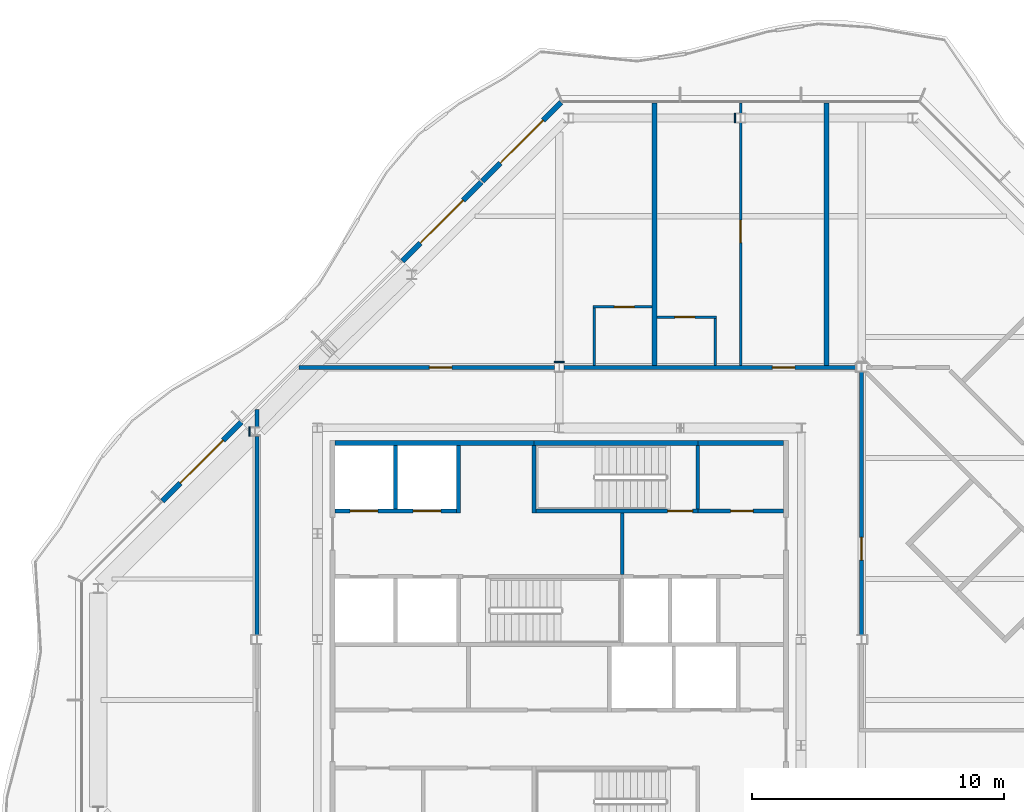
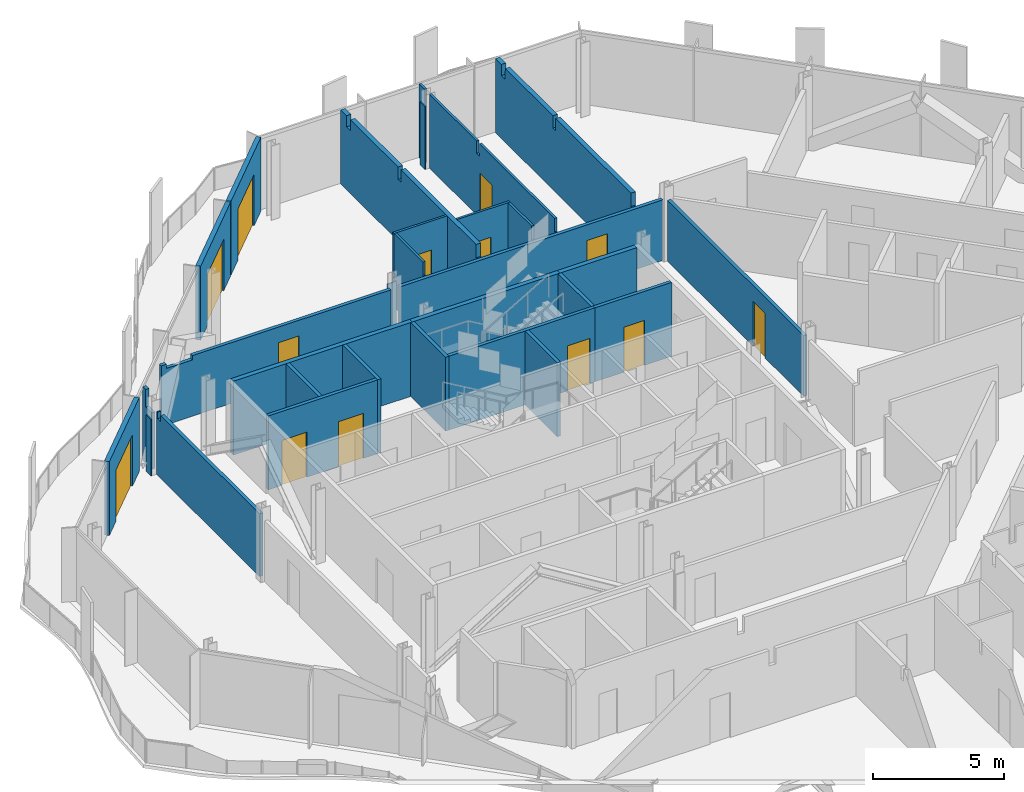
# One storey, part 10 of 16: 30 walls, 13 doors, 13 openings.
"""IFC4 building model written with IfcOpenShell, lengths in metres."""

import ifcopenshell
import ifcopenshell.guid

model = None  # the IFC model being written
_history = None  # IfcOwnerHistory: only IFC2X3 demands one
_inside = {}  # id of a spatial element -> (the spatial element, [elements in it])
_under = {}  # id of a project, library or spatial element -> (it, [spatial elements below it])
_declared = {}  # id of a project -> (the project, [libraries it declares])
_typed = {}  # id of a type object -> (the type object, [elements of that type])
_made_of = {}  # id of a material, layer set ... -> (it, [elements and type objects made of it])


def new_model(schema):
    """Start an empty IFC model of exactly this schema.

    Asked for "IFC4X3", IfcOpenShell would pick the latest addendum, in which some entities
    have other attributes; the version numbers below select the first issue.
    IFC2X3 requires an IfcOwnerHistory on every rooted entity: one is made here for all.
    """
    global model, _history
    if schema == "IFC4X3":
        model = ifcopenshell.file(schema_version=(4, 3, 0, 0))
    else:
        model = ifcopenshell.file(schema=schema)
    _inside.clear()
    _under.clear()
    _declared.clear()
    _typed.clear()
    _made_of.clear()
    _history = None
    if model.schema == "IFC2X3":
        org = make("IfcOrganization", Name="unknown")
        user = make(
            "IfcPersonAndOrganization",
            ThePerson=make("IfcPerson", FamilyName="unknown"),
            TheOrganization=org,
        )
        app = make(
            "IfcApplication",
            ApplicationDeveloper=org,
            Version="unknown",
            ApplicationFullName="unknown",
            ApplicationIdentifier="unknown",
        )
        _history = make(
            "IfcOwnerHistory",
            OwningUser=user,
            OwningApplication=app,
            ChangeAction="ADDED",
            CreationDate=0,
        )
    return model


def make(cls, **values):
    """One entity of the class cls with the attributes given. An attribute that is None is left unset."""
    return model.create_entity(
        cls, **{name: value for name, value in values.items() if value is not None}
    )


def rooted(cls, **values):
    """An entity with a GlobalId (a new one), such as an element, a storey or a relation."""
    return make(cls, GlobalId=ifcopenshell.guid.new(), OwnerHistory=_history, **values)


def si_unit(unit_type, name, prefix=None):
    """IfcSIUnit, for example si_unit("LENGTHUNIT", "METRE", prefix="MILLI")."""
    return make("IfcSIUnit", UnitType=unit_type, Prefix=prefix, Name=name)


def assignment(units):
    """IfcUnitAssignment: the units of a project."""
    return None if units is None else make("IfcUnitAssignment", Units=units)


def point(xyz):
    """IfcCartesianPoint."""
    return None if xyz is None else make("IfcCartesianPoint", Coordinates=xyz)


def direction(xyz):
    """IfcDirection."""
    return None if xyz is None else make("IfcDirection", DirectionRatios=xyz)


def frame(location, z_axis=None, x_axis=None):
    """IfcAxis2Placement3D, a coordinate frame: its origin and axes. An axis left out is left unset."""
    return make(
        "IfcAxis2Placement3D",
        Location=point(location),
        Axis=direction(z_axis),
        RefDirection=direction(x_axis),
    )


def frame_2d(location, x_axis=None):
    """IfcAxis2Placement2D, a coordinate frame in the plane: its origin and x axis."""
    return make(
        "IfcAxis2Placement2D", Location=point(location), RefDirection=direction(x_axis)
    )


def origin():
    """The frame at (0, 0, 0) with its axes left unset."""
    return frame((0.0, 0.0, 0.0))


def place(relative_to, where):
    """IfcLocalPlacement: puts the frame where relative to a parent placement (None: the world)."""
    return make(
        "IfcLocalPlacement", PlacementRelTo=relative_to, RelativePlacement=where
    )


def context(
    kind, dimensions, precision=None, world=None, true_north=None, identifier=None
):
    """IfcGeometricRepresentationContext, for example the 3D "Model" context."""
    return make(
        "IfcGeometricRepresentationContext",
        ContextIdentifier=identifier,
        ContextType=kind,
        CoordinateSpaceDimension=dimensions,
        Precision=precision,
        WorldCoordinateSystem=world,
        TrueNorth=true_north,
    )


def subcontext(parent, identifier, kind, view, scale=None):
    """IfcGeometricRepresentationSubContext, for example "Body" below "Model"."""
    return make(
        "IfcGeometricRepresentationSubContext",
        ContextIdentifier=identifier,
        ContextType=kind,
        ParentContext=parent,
        TargetScale=scale,
        TargetView=view,
    )


def project(units=None, contexts=None):
    """IfcProject with its units and contexts."""
    return rooted(
        "IfcProject",
        Name="project",
        RepresentationContexts=contexts,
        UnitsInContext=assignment(units),
    )


def spatial(cls, under=None, at=None, **own):
    """A site, building, storey or space (cls), placed at a placement, below another one or the project."""
    s = rooted(cls, ObjectPlacement=at, **own)
    if under is not None:
        _under.setdefault(under.id(), (under, []))[1].append(s)
    return s


def polyline(points):
    """IfcPolyline through the points."""
    return make("IfcPolyline", Points=[point(p) for p in points])


def profile(cls, at=None, kind="AREA", **sizes):
    """A parametric profile (cls). Its sizes go by their IFC names, for example OverallWidth=200.0."""
    return make(cls, ProfileType=kind, Position=at, **sizes)


def rectangle(**sizes):
    """IfcRectangleProfileDef."""
    return profile("IfcRectangleProfileDef", **sizes)


def outline(outer, holes=None, kind="AREA"):
    """IfcArbitraryClosedProfileDef: a profile drawn as a closed curve; with holes, ...WithVoids."""
    if holes is None:
        return make("IfcArbitraryClosedProfileDef", ProfileType=kind, OuterCurve=outer)
    return make(
        "IfcArbitraryProfileDefWithVoids",
        ProfileType=kind,
        OuterCurve=outer,
        InnerCurves=holes,
    )


def extrude(swept, where, along, depth):
    """IfcExtrudedAreaSolid: the profile swept, set in the frame where, extruded along a direction by depth."""
    return make(
        "IfcExtrudedAreaSolid",
        SweptArea=swept,
        Position=where,
        ExtrudedDirection=direction(along),
        Depth=depth,
    )


def shape(context_of_items, identifier, shape_type, items):
    """IfcShapeRepresentation: the items that make up one representation, for example the "Body"."""
    return make(
        "IfcShapeRepresentation",
        ContextOfItems=context_of_items,
        RepresentationIdentifier=identifier,
        RepresentationType=shape_type,
        Items=items,
    )


def material(Name=None, Category=None):
    """IfcMaterial."""
    return make("IfcMaterial", Name=Name, Category=Category)


def layer(
    of_material, thickness, ventilated=None, Name=None, Category=None, Priority=None
):
    """IfcMaterialLayer: one layer of a wall or slab, of a material (None: an air gap)."""
    return make(
        "IfcMaterialLayer",
        Material=of_material,
        LayerThickness=thickness,
        IsVentilated=ventilated,
        Name=Name,
        Category=Category,
        Priority=Priority,
    )


def layer_set(layers, Name=None):
    """IfcMaterialLayerSet."""
    return make("IfcMaterialLayerSet", MaterialLayers=layers, LayerSetName=Name)


def made_of(thing, what):
    """Note that an element or type object is made of a material, layer set ...; save() writes the relation."""
    if what is not None:
        _made_of.setdefault(what.id(), (what, []))[1].append(thing)
    return thing


def type_object(cls, material=None, **own):
    """A type object (cls), such as IfcWallType, which elements share."""
    return made_of(rooted(cls, **own), material)


def element(
    cls,
    number,
    at=None,
    inside=None,
    cuts=None,
    type_object=None,
    material=None,
    context=None,
    identifier="Body",
    shape_type=None,
    held_by="IfcProductDefinitionShape",
    body=None,
    shapes=None,
    **own,
):
    """One element of the class cls, such as IfcWall. Its Tag is "e" and its number.

    at: its placement. inside: the storey or other place that contains it. cuts: it is an
    opening in that element (IfcRelVoidsElement). A single representation is given by context,
    identifier, shape_type and body (its items); several are given by shapes. held_by: the class
    of the entity that holds the representations. save() writes the other relations.
    """
    e = rooted(cls, Tag="e%d" % number, ObjectPlacement=at, **own)
    if body is not None:
        shapes = [shape(context, identifier, shape_type, body)]
    if shapes is not None:
        e.Representation = make(held_by, Representations=shapes)
    if inside is not None:
        _inside.setdefault(inside.id(), (inside, []))[1].append(e)
    if cuts is not None:
        rooted(
            "IfcRelVoidsElement", RelatingBuildingElement=cuts, RelatedOpeningElement=e
        )
    if type_object is not None:
        _typed.setdefault(type_object.id(), (type_object, []))[1].append(e)
    return made_of(e, material)


def fill(opening, filler):
    """IfcRelFillsElement: the door or window that sits in an opening."""
    return rooted(
        "IfcRelFillsElement",
        RelatingOpeningElement=opening,
        RelatedBuildingElement=filler,
    )


def aggregate(whole, parts):
    """IfcRelAggregates: a whole, such as a stair, and the parts it consists of."""
    return rooted("IfcRelAggregates", RelatingObject=whole, RelatedObjects=parts)


def save(model, path):
    """Write the relations noted so far, then the file.

    IfcRelAggregates (storeys below a building ...), IfcRelContainedInSpatialStructure (elements
    in a storey), IfcRelDefinesByType, IfcRelAssociatesMaterial and IfcRelDeclares: one each for
    every whole, place, type object, material and project.
    """
    for whole, parts in _under.values():
        aggregate(whole, parts)
    for where, things in _inside.values():
        rooted(
            "IfcRelContainedInSpatialStructure",
            RelatedElements=things,
            RelatingStructure=where,
        )
    for kind, things in _typed.values():
        rooted("IfcRelDefinesByType", RelatedObjects=things, RelatingType=kind)
    for what, things in _made_of.values():
        rooted("IfcRelAssociatesMaterial", RelatedObjects=things, RelatingMaterial=what)
    for by, libraries in _declared.values():
        rooted("IfcRelDeclares", RelatingContext=by, RelatedDefinitions=libraries)
    model.write(path)


model = new_model("IFC4")

# Units and contexts
model_context = context("Model", 3, precision=1e-05, world=origin(), true_north=direction((0.0, 1.0)))
body_context = subcontext(model_context, "Body", "Model", "MODEL_VIEW")
ifc_project = project(units=[si_unit("LENGTHUNIT", "METRE"), si_unit("AREAUNIT", "SQUARE_METRE"), si_unit("VOLUMEUNIT", "CUBIC_METRE"), si_unit("PLANEANGLEUNIT", "RADIAN"), si_unit("MASSUNIT", "GRAM", prefix="KILO")], contexts=[model_context])

# Site, building, storey
site_placement = place(None, origin())
site = spatial("IfcSite", under=ifc_project, at=site_placement, CompositionType="ELEMENT")
building_placement = place(site_placement, origin())
building = spatial("IfcBuilding", under=site, at=building_placement, Name="Cairn Pilgrim Tower", CompositionType="ELEMENT")
storey_placement = place(building_placement, frame((0.0, 0.0, 285.0)))
storey = spatial("IfcBuildingStorey", under=building, at=storey_placement, Name="L73", CompositionType="ELEMENT", Elevation=285.0)

# Wall, opening, door
ifc_material_1 = material(Name="Bronze anodised aluminium insulated sandwich panel with mineral wool fill", Category="aluminium")
ifc_layer_1 = layer(ifc_material_1, 0.199951171875)
ifc_layer_set_1 = layer_set([ifc_layer_1], Name="BRONZE INFILL FRAME WALL 200")
wall_type_1 = type_object("IfcWallType", Name="BRONZE INFILL FRAME WALL 200", PredefinedType="NOTDEFINED", material=ifc_layer_set_1)
wall_1_placement = place(storey_placement, frame((7.275390625, 23.7216796875, 0.0), z_axis=(0.0, 0.0, 1.0), x_axis=(-0.707134392299, -0.707079168996, 0.0)))
wall_1 = element("IfcWall", 1, at=wall_1_placement, inside=storey, type_object=wall_type_1, Name="Bronze infill frame wall IW-NW1", PredefinedType="NOTDEFINED", context=body_context, shape_type="SweptSolid", body=[
    extrude(rectangle(XDim=4.4208984375, YDim=0.199951171875, at=frame_2d((2.21044921875, 0.0))), origin(), (0.0, 0.0, 1.0), 3.449951171875),
])
opening_1_placement = place(wall_1_placement, frame((1.00537109375, 0.0, 0.0)))
opening_1 = element("IfcOpeningElement", 2, at=opening_1_placement, cuts=wall_1, Name="Opening 7307B2", PredefinedType="OPENING", context=body_context, shape_type="SweptSolid", body=[
    extrude(rectangle(XDim=2.39990234375, YDim=2.39990234375, at=frame_2d((1.199951171875, 1.199951171875))), frame((0.0, 0.10986328125, 0.0), z_axis=(0.0, -1.0, 0.0), x_axis=(1.0, 0.0, 0.0)), (0.0, 0.0, 1.0), 0.219970703125),
])
ifc_material_2 = material(Name="Bronze anodised aluminium frame with tinted low-E glass", Category="aluminium")
door_type_1 = type_object("IfcDoorType", Name="BALCONY SLIDING DOOR 2400x2400", OperationType="DOUBLE_DOOR_SLIDING", PredefinedType="DOOR", material=ifc_material_2)
door_1_placement = place(opening_1_placement, origin())
door_1 = element("IfcDoor", 3, at=door_1_placement, inside=storey, type_object=door_type_1, Name="Balcony sliding door 7307B2", OperationType="SINGLE_SWING_LEFT", OverallHeight=2.39990234375, OverallWidth=2.39990234375, PredefinedType="DOOR", context=body_context, shape_type="SweptSolid", body=[
    extrude(rectangle(XDim=2.39990234375, YDim=2.39990234375, at=frame_2d((1.199951171875, 1.199951171875))), frame((0.0, 0.02490234375, 0.0), z_axis=(0.0, -1.0, 0.0), x_axis=(1.0, 0.0, 0.0)), (0.0, 0.0, 1.0), 0.050048828125),
])
fill(opening_1, door_1)

wall_2_placement = place(storey_placement, frame((4.106689453125, 20.55322265625, 0.0), z_axis=(0.0, 0.0, 1.0), x_axis=(-0.707079231393, -0.707134329907, 0.0)))
wall_2 = element("IfcWall", 4, at=wall_2_placement, inside=storey, type_object=wall_type_1, Name="Bronze infill frame wall IW-NW2", PredefinedType="NOTDEFINED", context=body_context, shape_type="SweptSolid", body=[
    extrude(rectangle(XDim=4.430908203125, YDim=0.199951171875, at=frame_2d((2.21533203125, 0.0))), origin(), (0.0, 0.0, 1.0), 3.449951171875),
])
opening_2_placement = place(wall_2_placement, frame((1.015380859375, 0.0, 0.0)))
opening_2 = element("IfcOpeningElement", 5, at=opening_2_placement, cuts=wall_2, Name="Opening 7307B", PredefinedType="OPENING", context=body_context, shape_type="SweptSolid", body=[
    extrude(rectangle(XDim=2.39990234375, YDim=2.39990234375, at=frame_2d((1.199951171875, 1.199951171875))), frame((0.0, 0.10986328125, 0.0), z_axis=(0.0, -1.0, 0.0), x_axis=(1.0, 0.0, 0.0)), (0.0, 0.0, 1.0), 0.219970703125),
])
door_2_placement = place(opening_2_placement, origin())
door_2 = element("IfcDoor", 6, at=door_2_placement, inside=storey, type_object=door_type_1, Name="Balcony sliding door 7307B", OperationType="SINGLE_SWING_LEFT", OverallHeight=2.39990234375, OverallWidth=2.39990234375, PredefinedType="DOOR", context=body_context, shape_type="SweptSolid", body=[
    extrude(rectangle(XDim=2.39990234375, YDim=2.39990234375, at=frame_2d((1.199951171875, 1.199951171875))), frame((0.0, 0.02490234375, 0.0), z_axis=(0.0, -1.0, 0.0), x_axis=(1.0, 0.0, 0.0)), (0.0, 0.0, 1.0), 0.050048828125),
])
fill(opening_2, door_2)

wall_3_placement = place(storey_placement, frame((-5.419921875, 11.0263671875, 0.0), z_axis=(0.0, 0.0, 1.0), x_axis=(-0.707134329907, -0.707079231393, 0.0)))
wall_3 = element("IfcWall", 7, at=wall_3_placement, inside=storey, type_object=wall_type_1, Name="Bronze infill frame wall IW-NW5", PredefinedType="NOTDEFINED", context=body_context, shape_type="SweptSolid", body=[
    extrude(rectangle(XDim=4.430908203125, YDim=0.199951171875, at=frame_2d((2.21533203125, 0.0))), origin(), (0.0, 0.0, 1.0), 3.449951171875),
])
opening_3_placement = place(wall_3_placement, frame((1.01513671875, 0.0, 0.0)))
opening_3 = element("IfcOpeningElement", 8, at=opening_3_placement, cuts=wall_3, Name="Opening 7308B", PredefinedType="OPENING", context=body_context, shape_type="SweptSolid", body=[
    extrude(rectangle(XDim=2.39990234375, YDim=2.39990234375, at=frame_2d((1.199951171875, 1.199951171875))), frame((0.0, 0.10986328125, 0.0), z_axis=(0.0, -1.0, 0.0), x_axis=(1.0, 0.0, 0.0)), (0.0, 0.0, 1.0), 0.219970703125),
])
door_3_placement = place(opening_3_placement, origin())
door_3 = element("IfcDoor", 9, at=door_3_placement, inside=storey, type_object=door_type_1, Name="Balcony sliding door 7308B", OperationType="SINGLE_SWING_LEFT", OverallHeight=2.39990234375, OverallWidth=2.39990234375, PredefinedType="DOOR", context=body_context, shape_type="SweptSolid", body=[
    extrude(rectangle(XDim=2.39990234375, YDim=2.39990234375, at=frame_2d((1.199951171875, 1.199951171875))), frame((0.0, 0.02490234375, 0.0), z_axis=(0.0, -1.0, 0.0), x_axis=(1.0, 0.0, 0.0)), (0.0, 0.0, 1.0), 0.050048828125),
])
fill(opening_3, door_3)

# Walls
ifc_material_3 = material(Name="Concrete C32/40", Category="concrete")
ifc_layer_2 = layer(ifc_material_3, 0.199951171875)
ifc_layer_set_2 = layer_set([ifc_layer_2], Name="CORE OUTER WALL 200 EI 120")
wall_type_2 = type_object("IfcWallType", Name="CORE OUTER WALL 200 EI 120", PredefinedType="SOLIDWALL", material=ifc_layer_set_2)
wall_4_placement = place(storey_placement, frame((-1.699951171875, 10.199951171875, 0.0), z_axis=(0.0, 0.0, 1.0), x_axis=(1.0, 0.0, 0.0)))
element("IfcWall", 10, at=wall_4_placement, inside=storey, type_object=wall_type_2, Name="CW:L73:H12-1", PredefinedType="SOLIDWALL", context=body_context, shape_type="SweptSolid", body=[
    extrude(rectangle(XDim=7.89990234375, YDim=0.199951171875, at=frame_2d((3.949951171875, 0.0))), origin(), (0.0, 0.0, 1.0), 3.449951171875),
])
wall_5_placement = place(storey_placement, frame((12.699951171875, 10.199951171875, 0.0), z_axis=(0.0, 0.0, 1.0), x_axis=(1.0, 0.0, 0.0)))
element("IfcWall", 11, at=wall_5_placement, inside=storey, type_object=wall_type_2, Name="CW:L73:H12-3", PredefinedType="SOLIDWALL", context=body_context, shape_type="SweptSolid", body=[
    extrude(rectangle(XDim=3.400146484375, YDim=0.199951171875, at=frame_2d((1.7001953125, 0.0))), origin(), (0.0, 0.0, 1.0), 3.449951171875),
])

# Wall, openings, doors
ifc_layer_3 = layer(ifc_material_3, 0.14990234375)
ifc_layer_set_3 = layer_set([ifc_layer_3], Name="CORE SHAFT WALL 150 EI 120")
wall_type_3 = type_object("IfcWallType", Name="CORE SHAFT WALL 150 EI 120", PredefinedType="SOLIDWALL", material=ifc_layer_set_3)
wall_6_placement = place(storey_placement, frame((-1.699951171875, 7.5, 0.0), z_axis=(0.0, 0.0, 1.0), x_axis=(1.0, 0.0, 0.0)))
wall_6 = element("IfcWall", 12, at=wall_6_placement, inside=storey, type_object=wall_type_3, Name="CW:L73:H10", PredefinedType="SOLIDWALL", context=body_context, shape_type="SweptSolid", body=[
    extrude(rectangle(XDim=4.824951171875, YDim=0.14990234375, at=frame_2d((2.41259765625, 0.0))), origin(), (0.0, 0.0, 1.0), 3.449951171875),
])
opening_4_placement = place(wall_6_placement, frame((0.60009765625, 0.0, 0.0)))
opening_4 = element("IfcOpeningElement", 13, at=opening_4_placement, cuts=wall_6, Name="Opening LD-HR3", PredefinedType="OPENING", context=body_context, shape_type="SweptSolid", body=[
    extrude(rectangle(XDim=1.10009765625, YDim=2.10009765625, at=frame_2d((0.550048828125, 1.050048828125))), frame((0.0, 0.0849609375, 0.0), z_axis=(0.0, -1.0, 0.0), x_axis=(1.0, 0.0, 0.0)), (0.0, 0.0, 1.0), 0.169921875),
])
opening_5_placement = place(wall_6_placement, frame((3.10009765625, 0.0, 0.0)))
opening_5 = element("IfcOpeningElement", 14, at=opening_5_placement, cuts=wall_6, Name="Opening LD-HR4", PredefinedType="OPENING", context=body_context, shape_type="SweptSolid", body=[
    extrude(rectangle(XDim=1.10009765625, YDim=2.10009765625, at=frame_2d((0.550048828125, 1.050048828125))), frame((0.0, 0.0849609375, 0.0), z_axis=(0.0, -1.0, 0.0), x_axis=(1.0, 0.0, 0.0)), (0.0, 0.0, 1.0), 0.169921875),
])
ifc_material_4 = material(Name="Stainless steel", Category="steel")
door_type_2 = type_object("IfcDoorType", Name="LIFT LANDING DOOR 1100x2100", OperationType="DOUBLE_DOOR_SLIDING", PredefinedType="DOOR", material=ifc_material_4)
door_4_placement = place(opening_4_placement, origin())
door_4 = element("IfcDoor", 15, at=door_4_placement, inside=storey, type_object=door_type_2, Name="LANDING DOOR HR3", OperationType="DOUBLE_DOOR_SLIDING", OverallHeight=2.10009765625, OverallWidth=1.10009765625, PredefinedType="DOOR", context=body_context, shape_type="SweptSolid", body=[
    extrude(rectangle(XDim=1.10009765625, YDim=2.10009765625, at=frame_2d((0.550048828125, 1.050048828125))), frame((0.0, 0.02490234375, 0.0), z_axis=(0.0, -1.0, 0.0), x_axis=(1.0, 0.0, 0.0)), (0.0, 0.0, 1.0), 0.050048828125),
])
fill(opening_4, door_4)
door_5_placement = place(opening_5_placement, origin())
door_5 = element("IfcDoor", 16, at=door_5_placement, inside=storey, type_object=door_type_2, Name="LANDING DOOR HR4", OperationType="DOUBLE_DOOR_SLIDING", OverallHeight=2.10009765625, OverallWidth=1.10009765625, PredefinedType="DOOR", context=body_context, shape_type="SweptSolid", body=[
    extrude(rectangle(XDim=1.10009765625, YDim=2.10009765625, at=frame_2d((0.550048828125, 1.050048828125))), frame((0.0, 0.02490234375, 0.0), z_axis=(0.0, -1.0, 0.0), x_axis=(1.0, 0.0, 0.0)), (0.0, 0.0, 1.0), 0.050048828125),
])
fill(opening_5, door_5)

# Wall, opening, door
wall_7_placement = place(storey_placement, frame((12.699951171875, 7.5, 0.0), z_axis=(0.0, 0.0, 1.0), x_axis=(1.0, 0.0, 0.0)))
wall_7 = element("IfcWall", 17, at=wall_7_placement, inside=storey, type_object=wall_type_3, Name="CW:L73:H11-2", PredefinedType="SOLIDWALL", context=body_context, shape_type="SweptSolid", body=[
    extrude(rectangle(XDim=3.400146484375, YDim=0.14990234375, at=frame_2d((1.7001953125, 0.0))), origin(), (0.0, 0.0, 1.0), 3.449951171875),
])
opening_6_placement = place(wall_7_placement, frame((1.300048828125, 0.0, 0.0)))
opening_6 = element("IfcOpeningElement", 18, at=opening_6_placement, cuts=wall_7, Name="Opening RD-R4E", PredefinedType="OPENING", context=body_context, shape_type="SweptSolid", body=[
    extrude(rectangle(XDim=0.89990234375, YDim=2.10009765625, at=frame_2d((0.449951171875, 1.050048828125))), frame((0.0, 0.0849609375, 0.0), z_axis=(0.0, -1.0, 0.0), x_axis=(1.0, 0.0, 0.0)), (0.0, 0.0, 1.0), 0.169921875),
])
ifc_material_5 = material(Name="Painted steel", Category="steel")
door_type_3 = type_object("IfcDoorType", Name="SERVICE ROOM DOOR 900x2100", OperationType="SINGLE_SWING_LEFT", PredefinedType="DOOR", material=ifc_material_5)
door_6_placement = place(opening_6_placement, origin())
door_6 = element("IfcDoor", 19, at=door_6_placement, inside=storey, type_object=door_type_3, Name="RD-R4E", OperationType="SINGLE_SWING_RIGHT", OverallHeight=2.10009765625, OverallWidth=0.89990234375, PredefinedType="DOOR", context=body_context, shape_type="SweptSolid", body=[
    extrude(rectangle(XDim=0.89990234375, YDim=2.10009765625, at=frame_2d((0.449951171875, 1.050048828125))), frame((0.0, 0.02490234375, 0.0), z_axis=(0.0, -1.0, 0.0), x_axis=(1.0, 0.0, 0.0)), (0.0, 0.0, 1.0), 0.050048828125),
])
fill(opening_6, door_6)

# Walls
wall_8_placement = place(storey_placement, frame((0.699951171875, 7.574951171875, 0.0), z_axis=(0.0, 0.0, 1.0), x_axis=(0.0, 1.0, 0.0)))
element("IfcWall", 20, at=wall_8_placement, inside=storey, type_object=wall_type_3, Name="CW:L73:V15", PredefinedType="SOLIDWALL", context=body_context, shape_type="SweptSolid", body=[
    extrude(rectangle(XDim=2.525146484375, YDim=0.14990234375, at=frame_2d((1.2626953125, 0.0))), origin(), (0.0, 0.0, 1.0), 3.449951171875),
])
wall_9_placement = place(storey_placement, frame((3.199951171875, 7.425048828125, 0.0), z_axis=(0.0, 0.0, 1.0), x_axis=(0.0, 1.0, 0.0)))
element("IfcWall", 21, at=wall_9_placement, inside=storey, type_object=wall_type_3, Name="CW:L73:V18", PredefinedType="SOLIDWALL", context=body_context, shape_type="SweptSolid", body=[
    extrude(rectangle(XDim=2.675048828125, YDim=0.14990234375, at=frame_2d((1.33740234375, 0.0))), origin(), (0.0, 0.0, 1.0), 3.449951171875),
])
wall_10_placement = place(storey_placement, frame((9.699951171875, 4.97509765625, 0.0), z_axis=(0.0, 0.0, 1.0), x_axis=(0.0, 1.0, 0.0)))
element("IfcWall", 22, at=wall_10_placement, inside=storey, type_object=wall_type_3, Name="CW:L73:V24", PredefinedType="SOLIDWALL", context=body_context, shape_type="SweptSolid", body=[
    extrude(rectangle(XDim=2.449951171875, YDim=0.14990234375, at=frame_2d((1.22509765625, 0.0))), origin(), (0.0, 0.0, 1.0), 3.449951171875),
])
ifc_material_6 = material(Name="Gypsum partition")
ifc_layer_4 = layer(ifc_material_6, 0.10009765625)
ifc_layer_set_4 = layer_set([ifc_layer_4], Name="PARTITION 100 DRYWALL")
wall_type_4 = type_object("IfcWallType", Name="PARTITION 100 DRYWALL", PredefinedType="PARTITIONING", material=ifc_layer_set_4)
wall_11_placement = place(storey_placement, frame((8.5859375, 13.27490234375, 0.0), z_axis=(0.0, 0.0, 1.0), x_axis=(0.0, 1.0, 0.0)))
element("IfcWall", 23, at=wall_11_placement, inside=storey, type_object=wall_type_4, Name="PARTITION W059", PredefinedType="PARTITIONING", context=body_context, shape_type="SweptSolid", body=[
    extrude(outline(polyline([(0.0, 0.0), (2.275146484375, 0.0), (2.27490234375, 3.449951171875), (0.074951171875, 3.449951171875), (0.072998046875, 2.830078125), (0.0, 2.830078125), (0.0, 0.0)])), frame((0.0, 0.050048828125, 0.0), z_axis=(0.0, -1.0, 0.0), x_axis=(1.0, 0.0, 0.0)), (0.0, 0.0, 1.0), 0.10009765625),
])
wall_12_placement = place(storey_placement, frame((13.385986328125, 13.27490234375, 0.0), z_axis=(0.0, 0.0, 1.0), x_axis=(0.0, 1.0, 0.0)))
element("IfcWall", 24, at=wall_12_placement, inside=storey, type_object=wall_type_4, Name="PARTITION W061", PredefinedType="PARTITIONING", context=body_context, shape_type="SweptSolid", body=[
    extrude(outline(polyline([(0.0, 0.0), (1.875, 0.0), (1.875, 3.449951171875), (0.074951171875, 3.449951171875), (0.072998046875, 2.830078125), (0.0, 2.830078125), (0.0, 0.0)])), frame((0.0, 0.050048828125, 0.0), z_axis=(0.0, -1.0, 0.0), x_axis=(1.0, 0.0, 0.0)), (0.0, 0.0, 1.0), 0.10009765625),
])

# Wall, opening, door
wall_13_placement = place(storey_placement, frame((14.39990234375, 13.27490234375, 0.0), z_axis=(0.0, 0.0, 1.0), x_axis=(0.0, 1.0, 0.0)))
wall_13 = element("IfcWall", 25, at=wall_13_placement, inside=storey, type_object=wall_type_4, Name="PARTITION W062", PredefinedType="PARTITIONING", context=body_context, shape_type="SweptSolid", body=[
    extrude(outline(polyline([(0.0, 0.0), (9.64111328125, 0.0), (9.64111328125, 3.449951171875), (6.030029296875, 3.449951171875), (6.028076171875, 2.8798828125), (5.820068359375, 2.8798828125), (5.818115234375, 3.449951171875), (0.074951171875, 3.449951171875), (0.072998046875, 2.830078125), (0.0, 2.830078125), (0.0, 0.0)])), frame((0.0, 0.050048828125, 0.0), z_axis=(0.0, -1.0, 0.0), x_axis=(1.0, 0.0, 0.0)), (0.0, 0.0, 1.0), 0.10009765625),
])
opening_7_placement = place(wall_13_placement, frame((4.875, 0.0, 0.0)))
opening_7 = element("IfcOpeningElement", 26, at=opening_7_placement, cuts=wall_13, Name="Opening 7306C", PredefinedType="OPENING", context=body_context, shape_type="SweptSolid", body=[
    extrude(rectangle(XDim=0.89990234375, YDim=2.10009765625, at=frame_2d((0.449951171875, 1.050048828125))), frame((0.0, 0.06005859375, 0.0), z_axis=(0.0, -1.0, 0.0), x_axis=(1.0, 0.0, 0.0)), (0.0, 0.0, 1.0), 0.1201171875),
])
ifc_material_7 = material(Name="Timber door leaf", Category="wood")
door_type_4 = type_object("IfcDoorType", Name="SERVICE DOOR 900x2100", OperationType="NOTDEFINED", PredefinedType="DOOR", material=ifc_material_7)
door_7_placement = place(opening_7_placement, frame((0.89990234375, 0.0, 0.0), z_axis=(0.0, 0.0, 1.0), x_axis=(-1.0, 0.0, 0.0)))
door_7 = element("IfcDoor", 27, at=door_7_placement, inside=storey, type_object=door_type_4, Name="DOOR 7306C", OperationType="SINGLE_SWING_LEFT", OverallHeight=2.10009765625, OverallWidth=0.89990234375, PredefinedType="DOOR", context=body_context, shape_type="SweptSolid", body=[
    extrude(rectangle(XDim=0.89990234375, YDim=2.10009765625, at=frame_2d((0.449951171875, 1.050048828125))), frame((0.0, 0.02490234375, 0.0), z_axis=(0.0, -1.0, 0.0), x_axis=(1.0, 0.0, 0.0)), (0.0, 0.0, 1.0), 0.050048828125),
])
fill(opening_7, door_7)

wall_14_placement = place(storey_placement, frame((11.0859375, 15.199951171875, 0.0), z_axis=(0.0, 0.0, 1.0), x_axis=(1.0, 0.0, 0.0)))
wall_14 = element("IfcWall", 28, at=wall_14_placement, inside=storey, type_object=wall_type_4, Name="PARTITION W064", PredefinedType="PARTITIONING", context=body_context, shape_type="SweptSolid", body=[
    extrude(rectangle(XDim=2.35009765625, YDim=0.10009765625, at=frame_2d((1.175048828125, 0.0))), origin(), (0.0, 0.0, 1.0), 3.449951171875),
])
opening_8_placement = place(wall_14_placement, frame((0.699951171875, 0.0, 0.0)))
opening_8 = element("IfcOpeningElement", 29, at=opening_8_placement, cuts=wall_14, Name="Opening 7306A", PredefinedType="OPENING", context=body_context, shape_type="SweptSolid", body=[
    extrude(rectangle(XDim=0.800048828125, YDim=2.10009765625, at=frame_2d((0.39990234375, 1.050048828125))), frame((0.0, 0.06005859375, 0.0), z_axis=(0.0, -1.0, 0.0), x_axis=(1.0, 0.0, 0.0)), (0.0, 0.0, 1.0), 0.1201171875),
])
door_type_5 = type_object("IfcDoorType", Name="WC DOOR 800x2100", OperationType="NOTDEFINED", PredefinedType="DOOR", material=ifc_material_7)
door_8_placement = place(opening_8_placement, origin())
door_8 = element("IfcDoor", 30, at=door_8_placement, inside=storey, type_object=door_type_5, Name="DOOR 7306A", OperationType="SINGLE_SWING_LEFT", OverallHeight=2.10009765625, OverallWidth=0.800048828125, PredefinedType="DOOR", context=body_context, shape_type="SweptSolid", body=[
    extrude(rectangle(XDim=0.800048828125, YDim=2.10009765625, at=frame_2d((0.39990234375, 1.050048828125))), frame((0.0, 0.02490234375, 0.0), z_axis=(0.0, -1.0, 0.0), x_axis=(1.0, 0.0, 0.0)), (0.0, 0.0, 1.0), 0.050048828125),
])
fill(opening_8, door_8)

wall_15_placement = place(storey_placement, frame((8.535888671875, 15.60009765625, 0.0), z_axis=(0.0, 0.0, 1.0), x_axis=(1.0, 0.0, 0.0)))
wall_15 = element("IfcWall", 31, at=wall_15_placement, inside=storey, type_object=wall_type_4, Name="PARTITION W065", PredefinedType="PARTITIONING", context=body_context, shape_type="SweptSolid", body=[
    extrude(rectangle(XDim=2.35009765625, YDim=0.10009765625, at=frame_2d((1.175048828125, 0.0))), origin(), (0.0, 0.0, 1.0), 3.449951171875),
])
opening_9_placement = place(wall_15_placement, frame((0.85009765625, 0.0, 0.0)))
opening_9 = element("IfcOpeningElement", 32, at=opening_9_placement, cuts=wall_15, Name="Opening 7307A", PredefinedType="OPENING", context=body_context, shape_type="SweptSolid", body=[
    extrude(rectangle(XDim=0.800048828125, YDim=2.10009765625, at=frame_2d((0.39990234375, 1.050048828125))), frame((0.0, 0.06005859375, 0.0), z_axis=(0.0, -1.0, 0.0), x_axis=(1.0, 0.0, 0.0)), (0.0, 0.0, 1.0), 0.1201171875),
])
door_9_placement = place(opening_9_placement, origin())
door_9 = element("IfcDoor", 33, at=door_9_placement, inside=storey, type_object=door_type_5, Name="DOOR 7307A", OperationType="SINGLE_SWING_LEFT", OverallHeight=2.10009765625, OverallWidth=0.800048828125, PredefinedType="DOOR", context=body_context, shape_type="SweptSolid", body=[
    extrude(rectangle(XDim=0.800048828125, YDim=2.10009765625, at=frame_2d((0.39990234375, 1.050048828125))), frame((0.0, 0.02490234375, 0.0), z_axis=(0.0, -1.0, 0.0), x_axis=(1.0, 0.0, 0.0)), (0.0, 0.0, 1.0), 0.050048828125),
])
fill(opening_9, door_9)

# Walls
wall_16_placement = place(storey_placement, frame((14.39990234375, 23.283935546875, 0.0), z_axis=(0.0, 0.0, 1.0), x_axis=(0.0, 1.0, 0.0)))
element("IfcWall", 34, at=wall_16_placement, inside=storey, type_object=wall_type_4, Name="PARTITION W067", PredefinedType="PARTITIONING", context=body_context, shape_type="SweptSolid", body=[
    extrude(rectangle(XDim=0.4189453125, YDim=0.10009765625, at=frame_2d((0.20947265625, 0.0))), origin(), (0.0, 0.0, 1.0), 3.449951171875),
])
ifc_layer_5 = layer(ifc_material_6, 0.14990234375)
ifc_layer_set_5 = layer_set([ifc_layer_5], Name="PARTITION 150 DRYWALL EI 60")
wall_type_5 = type_object("IfcWallType", Name="PARTITION 150 DRYWALL EI 60", PredefinedType="PARTITIONING", material=ifc_layer_set_5)
wall_17_placement = place(storey_placement, frame((-4.800048828125, 2.58740234375, 0.0), z_axis=(0.0, 0.0, 1.0), x_axis=(0.0, 1.0, 0.0)))
element("IfcWall", 35, at=wall_17_placement, inside=storey, type_object=wall_type_5, Name="PARTITION W045", PredefinedType="PARTITIONING", context=body_context, shape_type="SweptSolid", body=[
    extrude(outline(polyline([(0.0, 0.0), (7.880126953125, 0.0), (7.8798828125, 2.929931640625), (7.814453125, 2.929931640625), (7.8125, 2.6298828125), (7.56982421875, 2.6298828125), (7.56787109375, 2.929931640625), (0.0, 2.929931640625), (0.0, 0.0)])), frame((0.0, 0.074951171875, 0.0), z_axis=(0.0, -1.0, 0.0), x_axis=(1.0, 0.0, 0.0)), (0.0, 0.0, 1.0), 0.14990234375),
])

# Wall, opening, door
wall_18_placement = place(storey_placement, frame((19.199951171875, 2.58740234375, 0.0), z_axis=(0.0, 0.0, 1.0), x_axis=(0.0, 1.0, 0.0)))
wall_18 = element("IfcWall", 36, at=wall_18_placement, inside=storey, type_object=wall_type_5, Name="PARTITION W046", PredefinedType="PARTITIONING", context=body_context, shape_type="SweptSolid", body=[
    extrude(rectangle(XDim=10.425048828125, YDim=0.14990234375, at=frame_2d((5.21240234375, 0.0))), origin(), (0.0, 0.0, 1.0), 2.830078125),
])
opening_10_placement = place(wall_18_placement, frame((2.96240234375, 0.0, 0.0)))
opening_10 = element("IfcOpeningElement", 37, at=opening_10_placement, cuts=wall_18, Name="Opening 7316", PredefinedType="OPENING", context=body_context, shape_type="SweptSolid", body=[
    extrude(rectangle(XDim=0.89990234375, YDim=2.10009765625, at=frame_2d((0.449951171875, 1.050048828125))), frame((0.0, 0.0849609375, 0.0), z_axis=(0.0, -1.0, 0.0), x_axis=(1.0, 0.0, 0.0)), (0.0, 0.0, 1.0), 0.169921875),
])
door_type_6 = type_object("IfcDoorType", Name="SERVICE DOOR 900x2100 FD30S", OperationType="NOTDEFINED", PredefinedType="DOOR", material=ifc_material_7)
door_10_placement = place(opening_10_placement, frame((0.89990234375, 0.0, 0.0), z_axis=(0.0, 0.0, 1.0), x_axis=(-1.0, 0.0, 0.0)))
door_10 = element("IfcDoor", 38, at=door_10_placement, inside=storey, type_object=door_type_6, Name="DOOR 7316", OperationType="SINGLE_SWING_RIGHT", OverallHeight=2.10009765625, OverallWidth=0.89990234375, PredefinedType="DOOR", context=body_context, shape_type="SweptSolid", body=[
    extrude(rectangle(XDim=0.89990234375, YDim=2.10009765625, at=frame_2d((0.449951171875, 1.050048828125))), frame((0.0, 0.02490234375, 0.0), z_axis=(0.0, -1.0, 0.0), x_axis=(1.0, 0.0, 0.0)), (0.0, 0.0, 1.0), 0.050048828125),
])
fill(opening_10, door_10)

# Wall
wall_19_placement = place(storey_placement, frame((-4.800048828125, 10.83544921875, 0.0), z_axis=(0.0, 0.0, 1.0), x_axis=(0.0, 1.0, 0.0)))
element("IfcWall", 39, at=wall_19_placement, inside=storey, type_object=wall_type_5, Name="PARTITION W054", PredefinedType="PARTITIONING", context=body_context, shape_type="SweptSolid", body=[
    extrude(outline(polyline([(0.0, 0.0), (0.690673828125, 0.0), (0.690673828125, 3.449951171875), (0.461669921875, 3.449951171875), (0.459716796875, 2.6298828125), (0.0, 2.6298828125), (0.0, 0.0)])), frame((0.0, 0.074951171875, 0.0), z_axis=(0.0, -1.0, 0.0), x_axis=(1.0, 0.0, 0.0)), (0.0, 0.0, 1.0), 0.14990234375),
])

# Wall, opening, door
wall_20_placement = place(storey_placement, frame((-3.126220703125, 13.199951171875, 0.0), z_axis=(0.0, 0.0, 1.0), x_axis=(1.0, 0.0, 0.0)))
wall_20 = element("IfcWall", 40, at=wall_20_placement, inside=storey, type_object=wall_type_5, Name="PARTITION W056", PredefinedType="PARTITIONING", context=body_context, shape_type="SweptSolid", body=[
    extrude(outline(polyline([(0.0, 0.0), (10.129150390625, 0.0), (10.129150390625, 2.830078125), (1.368896484375, 2.830078125), (1.366943359375, 2.6298828125), (0.22900390625, 2.6298828125), (0.226806640625, 2.830078125), (0.0, 2.830078125), (0.0, 0.0)])), frame((0.0, 0.074951171875, 0.0), z_axis=(0.0, -1.0, 0.0), x_axis=(1.0, 0.0, 0.0)), (0.0, 0.0, 1.0), 0.14990234375),
])
opening_11_placement = place(wall_20_placement, frame((5.169189453125, 0.0, 0.0)))
opening_11 = element("IfcOpeningElement", 41, at=opening_11_placement, cuts=wall_20, Name="Opening 7307", PredefinedType="OPENING", context=body_context, shape_type="SweptSolid", body=[
    extrude(rectangle(XDim=0.89990234375, YDim=2.10009765625, at=frame_2d((0.449951171875, 1.050048828125))), frame((0.0, 0.0849609375, 0.0), z_axis=(0.0, -1.0, 0.0), x_axis=(1.0, 0.0, 0.0)), (0.0, 0.0, 1.0), 0.169921875),
])
door_type_7 = type_object("IfcDoorType", Name="ROOM DOOR 900x2100 FD30S", OperationType="NOTDEFINED", PredefinedType="DOOR", material=ifc_material_7)
door_11_placement = place(opening_11_placement, origin())
door_11 = element("IfcDoor", 42, at=door_11_placement, inside=storey, type_object=door_type_7, Name="DOOR 7307", OperationType="SINGLE_SWING_LEFT", OverallHeight=2.10009765625, OverallWidth=0.89990234375, PredefinedType="DOOR", context=body_context, shape_type="SweptSolid", body=[
    extrude(rectangle(XDim=0.89990234375, YDim=2.10009765625, at=frame_2d((0.449951171875, 1.050048828125))), frame((0.0, 0.02490234375, 0.0), z_axis=(0.0, -1.0, 0.0), x_axis=(1.0, 0.0, 0.0)), (0.0, 0.0, 1.0), 0.050048828125),
])
fill(opening_11, door_11)

wall_21_placement = place(storey_placement, frame((7.39697265625, 13.199951171875, 0.0), z_axis=(0.0, 0.0, 1.0), x_axis=(1.0, 0.0, 0.0)))
wall_21 = element("IfcWall", 43, at=wall_21_placement, inside=storey, type_object=wall_type_5, Name="PARTITION W057", PredefinedType="PARTITIONING", context=body_context, shape_type="SweptSolid", body=[
    extrude(rectangle(XDim=11.60595703125, YDim=0.14990234375, at=frame_2d((5.802978515625, 0.0))), origin(), (0.0, 0.0, 1.0), 2.830078125),
])
opening_12_placement = place(wall_21_placement, frame((8.260009765625, 0.0, 0.0)))
opening_12 = element("IfcOpeningElement", 44, at=opening_12_placement, cuts=wall_21, Name="Opening 7306", PredefinedType="OPENING", context=body_context, shape_type="SweptSolid", body=[
    extrude(rectangle(XDim=0.89990234375, YDim=2.10009765625, at=frame_2d((0.449951171875, 1.050048828125))), frame((0.0, 0.0849609375, 0.0), z_axis=(0.0, -1.0, 0.0), x_axis=(1.0, 0.0, 0.0)), (0.0, 0.0, 1.0), 0.169921875),
])
door_12_placement = place(opening_12_placement, origin())
door_12 = element("IfcDoor", 45, at=door_12_placement, inside=storey, type_object=door_type_7, Name="DOOR 7306", OperationType="SINGLE_SWING_LEFT", OverallHeight=2.10009765625, OverallWidth=0.89990234375, PredefinedType="DOOR", context=body_context, shape_type="SweptSolid", body=[
    extrude(rectangle(XDim=0.89990234375, YDim=2.10009765625, at=frame_2d((0.449951171875, 1.050048828125))), frame((0.0, 0.02490234375, 0.0), z_axis=(0.0, -1.0, 0.0), x_axis=(1.0, 0.0, 0.0)), (0.0, 0.0, 1.0), 0.050048828125),
])
fill(opening_12, door_12)

# Walls
ifc_layer_6 = layer(ifc_material_6, 0.050048828125)
ifc_layer_set_6 = layer_set([ifc_layer_6], Name="PARTITION 50 DRYWALL")
wall_type_6 = type_object("IfcWallType", Name="PARTITION 50 DRYWALL", PredefinedType="PARTITIONING", material=ifc_layer_set_6)
wall_22_placement = place(storey_placement, frame((14.179443359375, 22.916015625, 0.0), z_axis=(0.0, 0.0, 1.0), x_axis=(0.0, 1.0, 0.0)))
element("IfcWall", 46, at=wall_22_placement, inside=storey, type_object=wall_type_6, Name="COLUMN CASING WC21", PredefinedType="PARTITIONING", context=body_context, shape_type="SweptSolid", body=[
    extrude(rectangle(XDim=0.367919921875, YDim=0.050048828125, at=frame_2d((0.18408203125, 0.0))), origin(), (0.0, 0.0, 1.0), 2.929931640625),
])
ifc_layer_7 = layer(ifc_material_6, 0.050048828125)
ifc_layer_set_7 = layer_set([ifc_layer_7], Name="PARTITION 50 DRYWALL EI 60")
wall_type_7 = type_object("IfcWallType", Name="PARTITION 50 DRYWALL EI 60", PredefinedType="PARTITIONING", material=ifc_layer_set_7)
wall_23_placement = place(storey_placement, frame((-5.09619140625, 10.467529296875, 0.0), z_axis=(0.0, 0.0, 1.0), x_axis=(0.0, 1.0, 0.0)))
element("IfcWall", 47, at=wall_23_placement, inside=storey, type_object=wall_type_7, Name="COLUMN CASING WC09", PredefinedType="PARTITIONING", context=body_context, shape_type="SweptSolid", body=[
    extrude(rectangle(XDim=0.367919921875, YDim=0.050048828125, at=frame_2d((0.18408203125, 0.0))), origin(), (0.0, 0.0, 1.0), 2.6298828125),
])
wall_24_placement = place(storey_placement, frame((7.0029296875, 13.41259765625, 0.0), z_axis=(0.0, 0.0, 1.0), x_axis=(1.0, 0.0, 0.0)))
element("IfcWall", 48, at=wall_24_placement, inside=storey, type_object=wall_type_7, Name="COLUMN CASING WC19", PredefinedType="PARTITIONING", context=body_context, shape_type="SweptSolid", body=[
    extrude(rectangle(XDim=0.39404296875, YDim=0.050048828125, at=frame_2d((0.197021484375, 0.0))), origin(), (0.0, 0.0, 1.0), 2.929931640625),
])
ifc_layer_8 = layer(ifc_material_6, 0.199951171875)
ifc_layer_set_8 = layer_set([ifc_layer_8], Name="SHAFT WALL 200 GYPSUM EI 60")
wall_type_8 = type_object("IfcWallType", Name="SHAFT WALL 200 GYPSUM EI 60", PredefinedType="PARTITIONING", material=ifc_layer_set_8)
for number, where, z_axis, x_axis, name in (
    (49, (10.986083984375, 13.27490234375, 0.0), (0.0, 0.0, 1.0), (0.0, 1.0, 0.0), "PARTITION W060"),
    (50, (17.81396484375, 13.27490234375, 0.0), (0.0, 0.0, 1.0), (0.0, 1.0, 0.0), "PARTITION W063"),
):
    element("IfcWall", number, at=place(storey_placement, frame(where, z_axis=z_axis, x_axis=x_axis)), inside=storey, type_object=wall_type_8, Name=name, PredefinedType="PARTITIONING", context=body_context, shape_type="SweptSolid", body=[
        extrude(outline(polyline([(0.0, 0.0), (10.427978515625, 0.0), (10.427978515625, 3.449951171875), (9.97509765625, 3.449951171875), (9.972900390625, 2.929931640625), (9.675048828125, 2.929931640625), (9.673095703125, 3.449951171875), (6.030029296875, 3.449951171875), (6.028076171875, 2.8798828125), (5.820068359375, 2.8798828125), (5.818115234375, 3.449951171875), (0.074951171875, 3.449951171875), (0.072998046875, 2.830078125), (0.0, 2.830078125), (0.0, 0.0)])), frame((0.0, 0.10009765625, 0.0), z_axis=(0.0, -1.0, 0.0), x_axis=(1.0, 0.0, 0.0)), (0.0, 0.0, 1.0), 0.199951171875),
    ])

# Wall, opening, door
ifc_material_8 = material(Name="Concrete C35/45", Category="concrete")
ifc_layer_9 = layer(ifc_material_8, 0.14990234375)
ifc_layer_set_9 = layer_set([ifc_layer_9], Name="STAIR SHAFT WALL 150 EI 120")
wall_type_9 = type_object("IfcWallType", Name="STAIR SHAFT WALL 150 EI 120", PredefinedType="SOLIDWALL", material=ifc_layer_set_9)
wall_25_placement = place(storey_placement, frame((6.27490234375, 7.5, 0.0), z_axis=(0.0, 0.0, 1.0), x_axis=(1.0, 0.0, 0.0)))
wall_25 = element("IfcWall", 51, at=wall_25_placement, inside=storey, type_object=wall_type_9, Name="CW:L73:H11-1", PredefinedType="SOLIDWALL", context=body_context, shape_type="SweptSolid", body=[
    extrude(rectangle(XDim=6.425048828125, YDim=0.14990234375, at=frame_2d((3.21240234375, 0.0))), origin(), (0.0, 0.0, 1.0), 3.449951171875),
])
opening_13_placement = place(wall_25_placement, frame((5.22509765625, 0.0, 0.0)))
opening_13 = element("IfcOpeningElement", 52, at=opening_13_placement, cuts=wall_25, Name="Opening SD-C", PredefinedType="OPENING", context=body_context, shape_type="SweptSolid", body=[
    extrude(rectangle(XDim=1.0, YDim=2.10009765625, at=frame_2d((0.5, 1.050048828125))), frame((0.0, 0.0849609375, 0.0), z_axis=(0.0, -1.0, 0.0), x_axis=(1.0, 0.0, 0.0)), (0.0, 0.0, 1.0), 0.169921875),
])
door_type_8 = type_object("IfcDoorType", Name="STAIR DOOR FD60S 1000x2100", OperationType="SINGLE_SWING_LEFT", PredefinedType="DOOR", material=ifc_material_5)
door_13_placement = place(opening_13_placement, origin())
door_13 = element("IfcDoor", 53, at=door_13_placement, inside=storey, type_object=door_type_8, Name="SD-C", OperationType="SINGLE_SWING_LEFT", OverallHeight=2.10009765625, OverallWidth=1.0, PredefinedType="DOOR", context=body_context, shape_type="SweptSolid", body=[
    extrude(rectangle(XDim=1.0, YDim=2.10009765625, at=frame_2d((0.5, 1.050048828125))), frame((0.0, 0.02490234375, 0.0), z_axis=(0.0, -1.0, 0.0), x_axis=(1.0, 0.0, 0.0)), (0.0, 0.0, 1.0), 0.050048828125),
])
fill(opening_13, door_13)

# Walls
wall_26_placement = place(storey_placement, frame((6.199951171875, 7.425048828125, 0.0), z_axis=(0.0, 0.0, 1.0), x_axis=(0.0, 1.0, 0.0)))
element("IfcWall", 54, at=wall_26_placement, inside=storey, type_object=wall_type_9, Name="CW:L73:V21", PredefinedType="SOLIDWALL", context=body_context, shape_type="SweptSolid", body=[
    extrude(rectangle(XDim=2.675048828125, YDim=0.14990234375, at=frame_2d((1.33740234375, 0.0))), origin(), (0.0, 0.0, 1.0), 3.449951171875),
])
wall_27_placement = place(storey_placement, frame((12.699951171875, 7.574951171875, 0.0), z_axis=(0.0, 0.0, 1.0), x_axis=(0.0, 1.0, 0.0)))
element("IfcWall", 55, at=wall_27_placement, inside=storey, type_object=wall_type_9, Name="CW:L73:V28", PredefinedType="SOLIDWALL", context=body_context, shape_type="SweptSolid", body=[
    extrude(rectangle(XDim=2.525146484375, YDim=0.14990234375, at=frame_2d((1.2626953125, 0.0))), origin(), (0.0, 0.0, 1.0), 3.449951171875),
])
ifc_layer_10 = layer(ifc_material_8, 0.199951171875)
ifc_layer_set_10 = layer_set([ifc_layer_10], Name="STAIR SHAFT WALL 200 EI 120")
wall_type_10 = type_object("IfcWallType", Name="STAIR SHAFT WALL 200 EI 120", PredefinedType="SOLIDWALL", material=ifc_layer_set_10)
wall_28_placement = place(storey_placement, frame((6.199951171875, 10.199951171875, 0.0), z_axis=(0.0, 0.0, 1.0), x_axis=(1.0, 0.0, 0.0)))
element("IfcWall", 56, at=wall_28_placement, inside=storey, type_object=wall_type_10, Name="CW:L73:H12-2", PredefinedType="SOLIDWALL", context=body_context, shape_type="SweptSolid", body=[
    extrude(rectangle(XDim=6.5, YDim=0.199951171875, at=frame_2d((3.25, 0.0))), origin(), (0.0, 0.0, 1.0), 3.449951171875),
])

save(model, "model.ifc")
